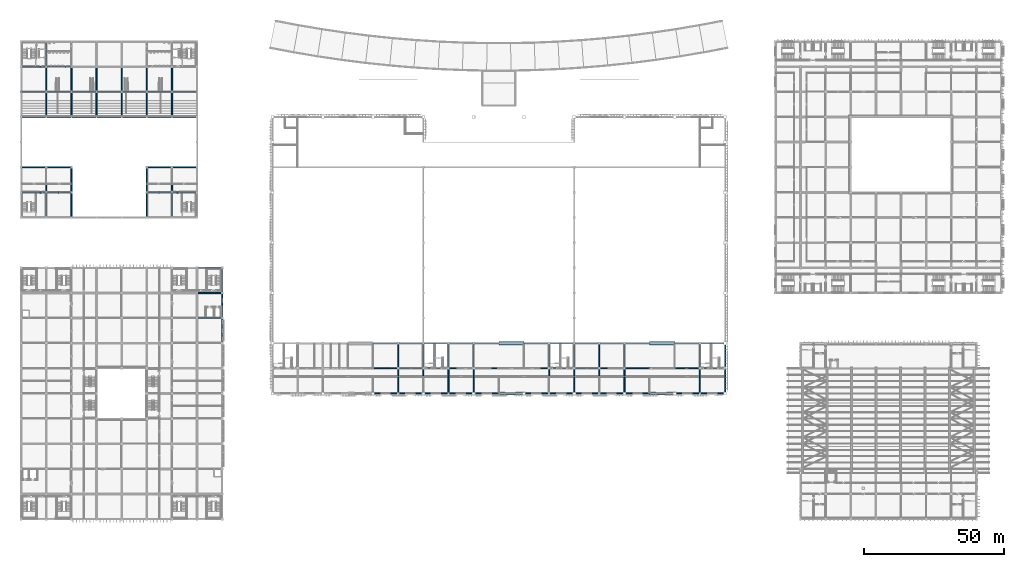
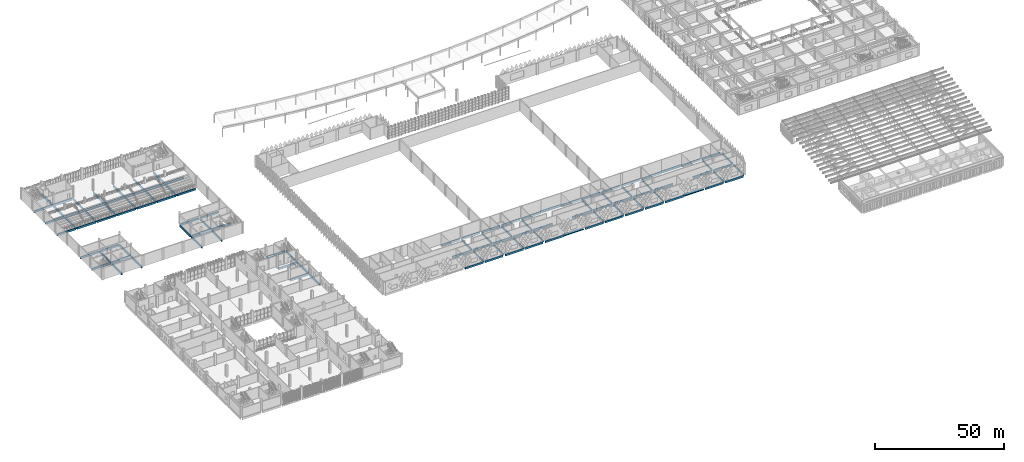
# One storey, part 29 of 185: 111 beams.
"""IFC4 building model written with IfcOpenShell, lengths in metres."""

from ifc_helpers import new_model, si_unit, direction, frame, origin, origin_2d, place, context, subcontext, project, spatial, rectangle, extrude, material, material_profile, profile_set, type_object, element, save


model = new_model("IFC4")

# Units and contexts
model_context = context("Model", 3, precision=1e-05, world=origin(), true_north=direction((0.0, 1.0)))
body_context = subcontext(model_context, "Body", "Model", "MODEL_VIEW")
ifc_project = project(units=[si_unit("LENGTHUNIT", "METRE"), si_unit("AREAUNIT", "SQUARE_METRE"), si_unit("VOLUMEUNIT", "CUBIC_METRE"), si_unit("PLANEANGLEUNIT", "RADIAN"), si_unit("MASSUNIT", "GRAM", prefix="KILO")], contexts=[model_context])

# Site, building, storey
site_placement = place(None, origin())
site = spatial("IfcSite", under=ifc_project, at=site_placement, CompositionType="ELEMENT")
building_placement = place(site_placement, origin())
building = spatial("IfcBuilding", under=site, at=building_placement, Name="Opaline Strait Convention Centre", CompositionType="ELEMENT")
storey_placement = place(building_placement, frame((0.0, 0.0, 6.0)))
storey = spatial("IfcBuildingStorey", under=building, at=storey_placement, Name="L01", CompositionType="ELEMENT", Elevation=6.0)

# Beams
ifc_material = material(Name="Concrete C35", Category="concrete")
ifc_material_profile_1 = material_profile(ifc_material, rectangle(XDim=0.39990234375, YDim=0.800048828125, at=origin_2d()), Name="RC 400x800")
ifc_profile_set_1 = profile_set([ifc_material_profile_1], Name="Concrete C35")
beam_type_1 = type_object("IfcBeamType", Name="RC beam 400x800 C35", PredefinedType="BEAM", material=ifc_profile_set_1)
for number, where, z_axis, x_axis, name in (
    (1, (144.0, 54.39990234375, -0.679931640625), (0.0, 1.0, 0.0), (-1.0, 0.0, 0.0), "EXB-SF-B-Y-144-54"),
    (2, (144.0, 63.39990234375, -0.679931640625), (0.0, 1.0, 0.0), (-1.0, 0.0, 0.0), "EXB-SF-B-Y-144-63"),
):
    element("IfcBeam", number, at=place(storey_placement, frame(where, z_axis=z_axis, x_axis=x_axis)), inside=storey, type_object=beam_type_1, Name=name, ObjectType="XB2", PredefinedType="BEAM", context=body_context, shape_type="SweptSolid", body=[
        extrude(rectangle(XDim=0.39990234375, YDim=0.800048828125, at=origin_2d()), origin(), (0.0, 0.0, 1.0), 8.2001953125),
    ])
beam_1_placement = place(storey_placement, frame((153.0, 54.5, -0.679931640625), z_axis=(0.0, 1.0, 0.0), x_axis=(-1.0, 0.0, 0.0)))
element("IfcBeam", 3, at=beam_1_placement, inside=storey, type_object=beam_type_1, Name="EXB-SF-B-Y-153-54", ObjectType="XB2", PredefinedType="BEAM", context=body_context, shape_type="SweptSolid", body=[
    extrude(rectangle(XDim=0.39990234375, YDim=0.800048828125, at=origin_2d()), origin(), (0.0, 0.0, 1.0), 8.10009765625),
])
for number, where, z_axis, x_axis, name in (
    (4, (153.0, 63.39990234375, -0.679931640625), (0.0, 1.0, 0.0), (-1.0, 0.0, 0.0), "EXB-SF-B-Y-153-63"),
    (5, (162.0, 54.39990234375, -0.679931640625), (0.0, 1.0, 0.0), (-1.0, 0.0, 0.0), "EXB-SF-B-Y-162-54"),
    (6, (162.0, 63.39990234375, -0.679931640625), (0.0, 1.0, 0.0), (-1.0, 0.0, 0.0), "EXB-SF-B-Y-162-63"),
):
    element("IfcBeam", number, at=place(storey_placement, frame(where, z_axis=z_axis, x_axis=x_axis)), inside=storey, type_object=beam_type_1, Name=name, ObjectType="XB2", PredefinedType="BEAM", context=body_context, shape_type="SweptSolid", body=[
        extrude(rectangle(XDim=0.39990234375, YDim=0.800048828125, at=origin_2d()), origin(), (0.0, 0.0, 1.0), 8.2001953125),
    ])
beam_2_placement = place(storey_placement, frame((171.0, 54.5, -0.679931640625), z_axis=(0.0, 1.0, 0.0), x_axis=(-1.0, 0.0, 0.0)))
element("IfcBeam", 7, at=beam_2_placement, inside=storey, type_object=beam_type_1, Name="EXB-SF-B-Y-171-54", ObjectType="XB2", PredefinedType="BEAM", context=body_context, shape_type="SweptSolid", body=[
    extrude(rectangle(XDim=0.39990234375, YDim=0.800048828125, at=origin_2d()), origin(), (0.0, 0.0, 1.0), 8.10009765625),
])
for number, where, z_axis, x_axis, name in (
    (8, (171.0, 63.39990234375, -0.679931640625), (0.0, 1.0, 0.0), (-1.0, 0.0, 0.0), "EXB-SF-B-Y-171-63"),
    (9, (198.0, 54.39990234375, -0.679931640625), (0.0, 1.0, 0.0), (-1.0, 0.0, 0.0), "EXB-SF-B-Y-198-54"),
    (10, (198.0, 63.39990234375, -0.679931640625), (0.0, 1.0, 0.0), (-1.0, 0.0, 0.0), "EXB-SF-B-Y-198-63"),
):
    element("IfcBeam", number, at=place(storey_placement, frame(where, z_axis=z_axis, x_axis=x_axis)), inside=storey, type_object=beam_type_1, Name=name, ObjectType="XB2", PredefinedType="BEAM", context=body_context, shape_type="SweptSolid", body=[
        extrude(rectangle(XDim=0.39990234375, YDim=0.800048828125, at=origin_2d()), origin(), (0.0, 0.0, 1.0), 8.2001953125),
    ])
beam_3_placement = place(storey_placement, frame((207.0, 54.5, -0.679931640625), z_axis=(0.0, 1.0, 0.0), x_axis=(-1.0, 0.0, 0.0)))
element("IfcBeam", 11, at=beam_3_placement, inside=storey, type_object=beam_type_1, Name="EXB-SF-B-Y-207-54", ObjectType="XB2", PredefinedType="BEAM", context=body_context, shape_type="SweptSolid", body=[
    extrude(rectangle(XDim=0.39990234375, YDim=0.800048828125, at=origin_2d()), origin(), (0.0, 0.0, 1.0), 8.10009765625),
])
for number, where, z_axis, x_axis, name in (
    (12, (207.0, 63.39990234375, -0.679931640625), (0.0, 1.0, 0.0), (-1.0, 0.0, 0.0), "EXB-SF-B-Y-207-63"),
    (13, (216.0, 54.39990234375, -0.679931640625), (0.0, 1.0, 0.0), (-1.0, 0.0, 0.0), "EXB-SF-B-Y-216-54"),
    (14, (216.0, 63.39990234375, -0.679931640625), (0.0, 1.0, 0.0), (-1.0, 0.0, 0.0), "EXB-SF-B-Y-216-63"),
):
    element("IfcBeam", number, at=place(storey_placement, frame(where, z_axis=z_axis, x_axis=x_axis)), inside=storey, type_object=beam_type_1, Name=name, ObjectType="XB2", PredefinedType="BEAM", context=body_context, shape_type="SweptSolid", body=[
        extrude(rectangle(XDim=0.39990234375, YDim=0.800048828125, at=origin_2d()), origin(), (0.0, 0.0, 1.0), 8.2001953125),
    ])
beam_4_placement = place(storey_placement, frame((225.0, 54.5, -0.679931640625), z_axis=(0.0, 1.0, 0.0), x_axis=(-1.0, 0.0, 0.0)))
element("IfcBeam", 15, at=beam_4_placement, inside=storey, type_object=beam_type_1, Name="EXB-SF-B-Y-225-54", ObjectType="XB2", PredefinedType="BEAM", context=body_context, shape_type="SweptSolid", body=[
    extrude(rectangle(XDim=0.39990234375, YDim=0.800048828125, at=origin_2d()), origin(), (0.0, 0.0, 1.0), 8.10009765625),
])
for number, where, z_axis, x_axis, name in (
    (16, (225.0, 63.39990234375, -0.679931640625), (0.0, 1.0, 0.0), (-1.0, 0.0, 0.0), "EXB-SF-B-Y-225-63"),
    (17, (252.0, 54.39990234375, -0.679931640625), (0.0, 1.0, 0.0), (-1.0, 0.0, 0.0), "EXB-SF-B-Y-252-54"),
    (18, (252.0, 63.39990234375, -0.679931640625), (0.0, 1.0, 0.0), (-1.0, 0.0, 0.0), "EXB-SF-B-Y-252-63"),
):
    element("IfcBeam", number, at=place(storey_placement, frame(where, z_axis=z_axis, x_axis=x_axis)), inside=storey, type_object=beam_type_1, Name=name, ObjectType="XB2", PredefinedType="BEAM", context=body_context, shape_type="SweptSolid", body=[
        extrude(rectangle(XDim=0.39990234375, YDim=0.800048828125, at=origin_2d()), origin(), (0.0, 0.0, 1.0), 8.2001953125),
    ])
for number, where, z_axis, x_axis, name in (
    (19, (261.0, 54.5, -0.679931640625), (0.0, 1.0, 0.0), (-1.0, 0.0, 0.0), "EXB-SF-B-Y-261-54"),
    (20, (261.0, 63.39990234375, -0.679931640625), (0.0, 1.0, 0.0), (-1.0, 0.0, 0.0), "EXB-SF-B-Y-261-63"),
):
    element("IfcBeam", number, at=place(storey_placement, frame(where, z_axis=z_axis, x_axis=x_axis)), inside=storey, type_object=beam_type_1, Name=name, ObjectType="XB2", PredefinedType="BEAM", context=body_context, shape_type="SweptSolid", body=[
        extrude(rectangle(XDim=0.39990234375, YDim=0.800048828125, at=origin_2d()), origin(), (0.0, 0.0, 1.0), 8.10009765625),
    ])
ifc_material_profile_2 = material_profile(ifc_material, rectangle(XDim=0.449951171875, YDim=0.89990234375, at=origin_2d()), Name="RC 450x900")
ifc_profile_set_2 = profile_set([ifc_material_profile_2], Name="Concrete C35")
beam_type_2 = type_object("IfcBeamType", Name="RC beam 450x900 C35", PredefinedType="BEAM", material=ifc_profile_set_2)
for number, where, z_axis, x_axis, name in (
    (21, (135.5, 54.0, -0.72998046875), (1.0, 0.0, 0.0), (0.0, 1.0, 0.0), "EXB-SF-B-X-135-54"),
    (22, (144.39990234375, 54.0, -0.72998046875), (1.0, 0.0, 0.0), (0.0, 1.0, 0.0), "EXB-SF-B-X-144-54"),
    (23, (153.5, 54.0, -0.72998046875), (1.0, 0.0, 0.0), (0.0, 1.0, 0.0), "EXB-SF-B-X-153-54"),
    (24, (162.39990234375, 54.0, -0.72998046875), (1.0, 0.0, 0.0), (0.0, 1.0, 0.0), "EXB-SF-B-X-162-54"),
):
    element("IfcBeam", number, at=place(storey_placement, frame(where, z_axis=z_axis, x_axis=x_axis)), inside=storey, type_object=beam_type_2, Name=name, ObjectType="XB1", PredefinedType="BEAM", context=body_context, shape_type="SweptSolid", body=[
        extrude(rectangle(XDim=0.449951171875, YDim=0.89990234375, at=origin_2d()), origin(), (0.0, 0.0, 1.0), 8.10009765625),
    ])
beam_5_placement = place(storey_placement, frame((171.5, 54.0, -0.72998046875), z_axis=(1.0, 0.0, 0.0), x_axis=(0.0, 1.0, 0.0)))
element("IfcBeam", 25, at=beam_5_placement, inside=storey, type_object=beam_type_2, Name="EXB-SF-B-X-171-54", ObjectType="XB1", PredefinedType="BEAM", context=body_context, shape_type="SweptSolid", body=[
    extrude(rectangle(XDim=0.449951171875, YDim=0.89990234375, at=origin_2d()), origin(), (0.0, 0.0, 1.0), 8.5),
])
for number, where, z_axis, x_axis, name in (
    (26, (189.5, 54.0, -0.72998046875), (1.0, 0.0, 0.0), (0.0, 1.0, 0.0), "EXB-SF-B-X-189-54"),
    (27, (198.39990234375, 54.0, -0.72998046875), (1.0, 0.0, 0.0), (0.0, 1.0, 0.0), "EXB-SF-B-X-198-54"),
    (28, (207.5, 54.0, -0.72998046875), (1.0, 0.0, 0.0), (0.0, 1.0, 0.0), "EXB-SF-B-X-207-54"),
    (29, (216.39990234375, 54.0, -0.72998046875), (1.0, 0.0, 0.0), (0.0, 1.0, 0.0), "EXB-SF-B-X-216-54"),
):
    element("IfcBeam", number, at=place(storey_placement, frame(where, z_axis=z_axis, x_axis=x_axis)), inside=storey, type_object=beam_type_2, Name=name, ObjectType="XB1", PredefinedType="BEAM", context=body_context, shape_type="SweptSolid", body=[
        extrude(rectangle(XDim=0.449951171875, YDim=0.89990234375, at=origin_2d()), origin(), (0.0, 0.0, 1.0), 8.10009765625),
    ])
beam_6_placement = place(storey_placement, frame((225.5, 54.0, -0.72998046875), z_axis=(1.0, 0.0, 0.0), x_axis=(0.0, 1.0, 0.0)))
element("IfcBeam", 30, at=beam_6_placement, inside=storey, type_object=beam_type_2, Name="EXB-SF-B-X-225-54", ObjectType="XB1", PredefinedType="BEAM", context=body_context, shape_type="SweptSolid", body=[
    extrude(rectangle(XDim=0.449951171875, YDim=0.89990234375, at=origin_2d()), origin(), (0.0, 0.0, 1.0), 8.5),
])
for number, where, z_axis, x_axis, name in (
    (31, (243.5, 54.0, -0.72998046875), (1.0, 0.0, 0.0), (0.0, 1.0, 0.0), "EXB-SF-B-X-243-54"),
    (32, (252.39990234375, 54.0, -0.72998046875), (1.0, 0.0, 0.0), (0.0, 1.0, 0.0), "EXB-SF-B-X-252-54"),
):
    element("IfcBeam", number, at=place(storey_placement, frame(where, z_axis=z_axis, x_axis=x_axis)), inside=storey, type_object=beam_type_2, Name=name, ObjectType="XB1", PredefinedType="BEAM", context=body_context, shape_type="SweptSolid", body=[
        extrude(rectangle(XDim=0.449951171875, YDim=0.89990234375, at=origin_2d()), origin(), (0.0, 0.0, 1.0), 8.10009765625),
    ])
beam_7_placement = place(storey_placement, frame((135.0, 63.0, -0.72998046875), z_axis=(1.0, 0.0, 0.0), x_axis=(0.0, 1.0, 0.0)))
element("IfcBeam", 33, at=beam_7_placement, inside=storey, type_object=beam_type_2, Name="EXB-SF-B-X-135-63", ObjectType="XB1", PredefinedType="BEAM", context=body_context, shape_type="SweptSolid", body=[
    extrude(rectangle(XDim=0.449951171875, YDim=0.89990234375, at=origin_2d()), origin(), (0.0, 0.0, 1.0), 8.60009765625),
])
for number, where, z_axis, x_axis, name in (
    (34, (144.39990234375, 63.0, -0.72998046875), (1.0, 0.0, 0.0), (0.0, 1.0, 0.0), "EXB-SF-B-X-144-63"),
    (35, (153.39990234375, 63.0, -0.72998046875), (1.0, 0.0, 0.0), (0.0, 1.0, 0.0), "EXB-SF-B-X-153-63"),
    (36, (162.39990234375, 63.0, -0.72998046875), (1.0, 0.0, 0.0), (0.0, 1.0, 0.0), "EXB-SF-B-X-162-63"),
):
    element("IfcBeam", number, at=place(storey_placement, frame(where, z_axis=z_axis, x_axis=x_axis)), inside=storey, type_object=beam_type_2, Name=name, ObjectType="XB1", PredefinedType="BEAM", context=body_context, shape_type="SweptSolid", body=[
        extrude(rectangle(XDim=0.449951171875, YDim=0.89990234375, at=origin_2d()), origin(), (0.0, 0.0, 1.0), 8.2001953125),
    ])
for number, where, z_axis, x_axis, name in (
    (37, (171.39990234375, 63.0, -0.72998046875), (1.0, 0.0, 0.0), (0.0, 1.0, 0.0), "EXB-SF-B-X-171-63"),
    (38, (189.0, 63.0, -0.72998046875), (1.0, 0.0, 0.0), (0.0, 1.0, 0.0), "EXB-SF-B-X-189-63"),
):
    element("IfcBeam", number, at=place(storey_placement, frame(where, z_axis=z_axis, x_axis=x_axis)), inside=storey, type_object=beam_type_2, Name=name, ObjectType="XB1", PredefinedType="BEAM", context=body_context, shape_type="SweptSolid", body=[
        extrude(rectangle(XDim=0.449951171875, YDim=0.89990234375, at=origin_2d()), origin(), (0.0, 0.0, 1.0), 8.60009765625),
    ])
for number, where, z_axis, x_axis, name in (
    (39, (198.39990234375, 63.0, -0.72998046875), (1.0, 0.0, 0.0), (0.0, 1.0, 0.0), "EXB-SF-B-X-198-63"),
    (40, (207.39990234375, 63.0, -0.72998046875), (1.0, 0.0, 0.0), (0.0, 1.0, 0.0), "EXB-SF-B-X-207-63"),
    (41, (216.39990234375, 63.0, -0.72998046875), (1.0, 0.0, 0.0), (0.0, 1.0, 0.0), "EXB-SF-B-X-216-63"),
):
    element("IfcBeam", number, at=place(storey_placement, frame(where, z_axis=z_axis, x_axis=x_axis)), inside=storey, type_object=beam_type_2, Name=name, ObjectType="XB1", PredefinedType="BEAM", context=body_context, shape_type="SweptSolid", body=[
        extrude(rectangle(XDim=0.449951171875, YDim=0.89990234375, at=origin_2d()), origin(), (0.0, 0.0, 1.0), 8.2001953125),
    ])
for number, where, z_axis, x_axis, name in (
    (42, (225.39990234375, 63.0, -0.72998046875), (1.0, 0.0, 0.0), (0.0, 1.0, 0.0), "EXB-SF-B-X-225-63"),
    (43, (243.0, 63.0, -0.72998046875), (1.0, 0.0, 0.0), (0.0, 1.0, 0.0), "EXB-SF-B-X-243-63"),
):
    element("IfcBeam", number, at=place(storey_placement, frame(where, z_axis=z_axis, x_axis=x_axis)), inside=storey, type_object=beam_type_2, Name=name, ObjectType="XB1", PredefinedType="BEAM", context=body_context, shape_type="SweptSolid", body=[
        extrude(rectangle(XDim=0.449951171875, YDim=0.89990234375, at=origin_2d()), origin(), (0.0, 0.0, 1.0), 8.60009765625),
    ])
beam_8_placement = place(storey_placement, frame((252.39990234375, 63.0, -0.72998046875), z_axis=(1.0, 0.0, 0.0), x_axis=(0.0, 1.0, 0.0)))
element("IfcBeam", 44, at=beam_8_placement, inside=storey, type_object=beam_type_2, Name="EXB-SF-B-X-252-63", ObjectType="XB1", PredefinedType="BEAM", context=body_context, shape_type="SweptSolid", body=[
    extrude(rectangle(XDim=0.449951171875, YDim=0.89990234375, at=origin_2d()), origin(), (0.0, 0.0, 1.0), 8.2001953125),
])
beam_9_placement = place(storey_placement, frame((135.0, 72.0, -0.72998046875), z_axis=(1.0, 0.0, 0.0), x_axis=(0.0, 1.0, 0.0)))
element("IfcBeam", 45, at=beam_9_placement, inside=storey, type_object=beam_type_2, Name="EXB-SF-B-X-135-72", ObjectType="XB1", PredefinedType="BEAM", context=body_context, shape_type="SweptSolid", body=[
    extrude(rectangle(XDim=0.449951171875, YDim=0.89990234375, at=origin_2d()), origin(), (0.0, 0.0, 1.0), 8.60009765625),
])
for number, where, z_axis, x_axis, name in (
    (46, (144.39990234375, 72.0, -0.72998046875), (1.0, 0.0, 0.0), (0.0, 1.0, 0.0), "EXB-SF-B-X-144-72"),
    (47, (153.39990234375, 72.0, -0.72998046875), (1.0, 0.0, 0.0), (0.0, 1.0, 0.0), "EXB-SF-B-X-153-72"),
    (48, (162.39990234375, 72.0, -0.72998046875), (1.0, 0.0, 0.0), (0.0, 1.0, 0.0), "EXB-SF-B-X-162-72"),
):
    element("IfcBeam", number, at=place(storey_placement, frame(where, z_axis=z_axis, x_axis=x_axis)), inside=storey, type_object=beam_type_2, Name=name, ObjectType="XB1", PredefinedType="BEAM", context=body_context, shape_type="SweptSolid", body=[
        extrude(rectangle(XDim=0.449951171875, YDim=0.89990234375, at=origin_2d()), origin(), (0.0, 0.0, 1.0), 8.2001953125),
    ])
for number, where, z_axis, x_axis, name in (
    (49, (171.39990234375, 72.0, -0.72998046875), (1.0, 0.0, 0.0), (0.0, 1.0, 0.0), "EXB-SF-B-X-171-72"),
    (50, (189.0, 72.0, -0.72998046875), (1.0, 0.0, 0.0), (0.0, 1.0, 0.0), "EXB-SF-B-X-189-72"),
):
    element("IfcBeam", number, at=place(storey_placement, frame(where, z_axis=z_axis, x_axis=x_axis)), inside=storey, type_object=beam_type_2, Name=name, ObjectType="XB1", PredefinedType="BEAM", context=body_context, shape_type="SweptSolid", body=[
        extrude(rectangle(XDim=0.449951171875, YDim=0.89990234375, at=origin_2d()), origin(), (0.0, 0.0, 1.0), 8.60009765625),
    ])
for number, where, z_axis, x_axis, name in (
    (51, (198.39990234375, 72.0, -0.72998046875), (1.0, 0.0, 0.0), (0.0, 1.0, 0.0), "EXB-SF-B-X-198-72"),
    (52, (207.39990234375, 72.0, -0.72998046875), (1.0, 0.0, 0.0), (0.0, 1.0, 0.0), "EXB-SF-B-X-207-72"),
    (53, (216.39990234375, 72.0, -0.72998046875), (1.0, 0.0, 0.0), (0.0, 1.0, 0.0), "EXB-SF-B-X-216-72"),
):
    element("IfcBeam", number, at=place(storey_placement, frame(where, z_axis=z_axis, x_axis=x_axis)), inside=storey, type_object=beam_type_2, Name=name, ObjectType="XB1", PredefinedType="BEAM", context=body_context, shape_type="SweptSolid", body=[
        extrude(rectangle(XDim=0.449951171875, YDim=0.89990234375, at=origin_2d()), origin(), (0.0, 0.0, 1.0), 8.2001953125),
    ])
for number, where, z_axis, x_axis, name in (
    (54, (225.39990234375, 72.0, -0.72998046875), (1.0, 0.0, 0.0), (0.0, 1.0, 0.0), "EXB-SF-B-X-225-72"),
    (55, (243.0, 72.0, -0.72998046875), (1.0, 0.0, 0.0), (0.0, 1.0, 0.0), "EXB-SF-B-X-243-72"),
):
    element("IfcBeam", number, at=place(storey_placement, frame(where, z_axis=z_axis, x_axis=x_axis)), inside=storey, type_object=beam_type_2, Name=name, ObjectType="XB1", PredefinedType="BEAM", context=body_context, shape_type="SweptSolid", body=[
        extrude(rectangle(XDim=0.449951171875, YDim=0.89990234375, at=origin_2d()), origin(), (0.0, 0.0, 1.0), 8.60009765625),
    ])
beam_10_placement = place(storey_placement, frame((252.39990234375, 72.0, -0.72998046875), z_axis=(1.0, 0.0, 0.0), x_axis=(0.0, 1.0, 0.0)))
element("IfcBeam", 56, at=beam_10_placement, inside=storey, type_object=beam_type_2, Name="EXB-SF-B-X-252-72", ObjectType="XB1", PredefinedType="BEAM", context=body_context, shape_type="SweptSolid", body=[
    extrude(rectangle(XDim=0.449951171875, YDim=0.89990234375, at=origin_2d()), origin(), (0.0, 0.0, 1.0), 8.10009765625),
])
for number, where, z_axis, x_axis, name in (
    (57, (72.39990234375, 81.0, -0.72998046875), (1.0, 0.0, 0.0), (0.0, 1.0, 0.0), "XB1 L01 72/81-81/81"),
    (58, (72.39990234375, 90.0, -0.72998046875), (1.0, 0.0, 0.0), (0.0, 1.0, 0.0), "XB1 L01 72/90-81/90"),
    (59, (72.39990234375, 99.0, -0.72998046875), (1.0, 0.0, 0.0), (0.0, 1.0, 0.0), "XB1 L01 72/99-81/99"),
    (60, (81.0, 72.39990234375, -0.72998046875), (0.0, 1.0, 0.0), (-1.0, 0.0, 0.0), "XB1 L01 81/72-81/81"),
    (61, (81.0, 81.39990234375, -0.72998046875), (0.0, 1.0, 0.0), (-1.0, 0.0, 0.0), "XB1 L01 81/81-81/90"),
    (62, (81.0, 90.39990234375, -0.72998046875), (0.0, 1.0, 0.0), (-1.0, 0.0, 0.0), "XB1 L01 81/90-81/99"),
):
    element("IfcBeam", number, at=place(storey_placement, frame(where, z_axis=z_axis, x_axis=x_axis)), inside=storey, type_object=beam_type_2, Name=name, PredefinedType="BEAM", context=body_context, shape_type="SweptSolid", body=[
        extrude(rectangle(XDim=0.449951171875, YDim=0.89990234375, at=origin_2d()), origin(), (0.0, 0.0, 1.0), 8.2001953125),
    ])
ifc_material_profile_3 = material_profile(ifc_material, rectangle(XDim=0.449951171875, YDim=0.89990234375, at=origin_2d()), Name="RC 450x900")
ifc_profile_set_3 = profile_set([ifc_material_profile_3], Name="Concrete C35")
beam_type_3 = type_object("IfcBeamType", Name="RC floor beam 450x900 C35", PredefinedType="BEAM", material=ifc_profile_set_3)
beam_11_placement = place(storey_placement, frame((9.39990234375, 153.0, -0.72998046875), z_axis=(1.0, 0.0, 0.0), x_axis=(0.0, 1.0, 0.0)))
element("IfcBeam", 63, at=beam_11_placement, inside=storey, type_object=beam_type_3, Name="PFB1 L01 beam 2/T-3/T", PredefinedType="BEAM", context=body_context, shape_type="SweptSolid", body=[
    extrude(rectangle(XDim=0.449951171875, YDim=0.89990234375, at=origin_2d()), origin(), (0.0, 0.0, 1.0), 8.300048828125),
])
for number, where, z_axis, x_axis, name in (
    (64, (18.300048828125, 153.0, -0.72998046875), (1.0, 0.0, 0.0), (0.0, 1.0, 0.0), "PFB1 L01 beam 3/T-4/T"),
    (65, (27.300048828125, 153.0, -0.72998046875), (1.0, 0.0, 0.0), (0.0, 1.0, 0.0), "PFB1 L01 beam 4/T-5/T"),
    (66, (36.300048828125, 153.0, -0.72998046875), (1.0, 0.0, 0.0), (0.0, 1.0, 0.0), "PFB1 L01 beam 5/T-6/T"),
    (67, (45.300048828125, 153.0, -0.72998046875), (1.0, 0.0, 0.0), (0.0, 1.0, 0.0), "PFB1 L01 beam 6/T-7/T"),
    (68, (54.300048828125, 153.0, -0.72998046875), (1.0, 0.0, 0.0), (0.0, 1.0, 0.0), "PFB1 L01 beam 7/T-8/T"),
):
    element("IfcBeam", number, at=place(storey_placement, frame(where, z_axis=z_axis, x_axis=x_axis)), inside=storey, type_object=beam_type_3, Name=name, PredefinedType="BEAM", context=body_context, shape_type="SweptSolid", body=[
        extrude(rectangle(XDim=0.449951171875, YDim=0.89990234375, at=origin_2d()), origin(), (0.0, 0.0, 1.0), 8.39990234375),
    ])
for number, where, z_axis, x_axis, name in (
    (69, (63.300048828125, 153.0, -0.72998046875), (1.0, 0.0, 0.0), (0.0, 1.0, 0.0), "PFB1 L01 beam 8/T-9/T"),
    (70, (9.39990234375, 162.0, -0.72998046875), (1.0, 0.0, 0.0), (0.0, 1.0, 0.0), "PFB1 L01 beam 2/U-3/U"),
):
    element("IfcBeam", number, at=place(storey_placement, frame(where, z_axis=z_axis, x_axis=x_axis)), inside=storey, type_object=beam_type_3, Name=name, PredefinedType="BEAM", context=body_context, shape_type="SweptSolid", body=[
        extrude(rectangle(XDim=0.449951171875, YDim=0.89990234375, at=origin_2d()), origin(), (0.0, 0.0, 1.0), 8.300048828125),
    ])
for number, where, z_axis, x_axis, name in (
    (71, (18.300048828125, 162.0, -0.72998046875), (1.0, 0.0, 0.0), (0.0, 1.0, 0.0), "PFB1 L01 beam 3/U-4/U"),
    (72, (27.300048828125, 162.0, -0.72998046875), (1.0, 0.0, 0.0), (0.0, 1.0, 0.0), "PFB1 L01 beam 4/U-5/U"),
    (73, (36.300048828125, 162.0, -0.72998046875), (1.0, 0.0, 0.0), (0.0, 1.0, 0.0), "PFB1 L01 beam 5/U-6/U"),
    (74, (45.300048828125, 162.0, -0.72998046875), (1.0, 0.0, 0.0), (0.0, 1.0, 0.0), "PFB1 L01 beam 6/U-7/U"),
    (75, (54.300048828125, 162.0, -0.72998046875), (1.0, 0.0, 0.0), (0.0, 1.0, 0.0), "PFB1 L01 beam 7/U-8/U"),
):
    element("IfcBeam", number, at=place(storey_placement, frame(where, z_axis=z_axis, x_axis=x_axis)), inside=storey, type_object=beam_type_3, Name=name, PredefinedType="BEAM", context=body_context, shape_type="SweptSolid", body=[
        extrude(rectangle(XDim=0.449951171875, YDim=0.89990234375, at=origin_2d()), origin(), (0.0, 0.0, 1.0), 8.39990234375),
    ])
for number, where, z_axis, x_axis, name in (
    (76, (63.300048828125, 162.0, -0.72998046875), (1.0, 0.0, 0.0), (0.0, 1.0, 0.0), "PFB1 L01 beam 8/U-9/U"),
    (77, (9.39990234375, 171.0, -0.72998046875), (1.0, 0.0, 0.0), (0.0, 1.0, 0.0), "PFB1 L01 beam 2/V-3/V"),
):
    element("IfcBeam", number, at=place(storey_placement, frame(where, z_axis=z_axis, x_axis=x_axis)), inside=storey, type_object=beam_type_3, Name=name, PredefinedType="BEAM", context=body_context, shape_type="SweptSolid", body=[
        extrude(rectangle(XDim=0.449951171875, YDim=0.89990234375, at=origin_2d()), origin(), (0.0, 0.0, 1.0), 8.300048828125),
    ])
for number, where, z_axis, x_axis, name in (
    (78, (18.300048828125, 171.0, -0.72998046875), (1.0, 0.0, 0.0), (0.0, 1.0, 0.0), "PFB1 L01 beam 3/V-4/V"),
    (79, (18.0, 153.300048828125, -0.72998046875), (0.0, 1.0, 0.0), (-1.0, 0.0, 0.0), "PFB1 L01 beam 3/T-3/U"),
    (80, (18.0, 162.300048828125, -0.72998046875), (0.0, 1.0, 0.0), (-1.0, 0.0, 0.0), "PFB1 L01 beam 3/U-3/V"),
):
    element("IfcBeam", number, at=place(storey_placement, frame(where, z_axis=z_axis, x_axis=x_axis)), inside=storey, type_object=beam_type_3, Name=name, PredefinedType="BEAM", context=body_context, shape_type="SweptSolid", body=[
        extrude(rectangle(XDim=0.449951171875, YDim=0.89990234375, at=origin_2d()), origin(), (0.0, 0.0, 1.0), 8.39990234375),
    ])
beam_12_placement = place(storey_placement, frame((18.0, 171.300048828125, -0.72998046875), z_axis=(0.0, 1.0, 0.0), x_axis=(-1.0, 0.0, 0.0)))
element("IfcBeam", 81, at=beam_12_placement, inside=storey, type_object=beam_type_3, Name="PFB1 L01 beam 3/V-3/W", PredefinedType="BEAM", context=body_context, shape_type="SweptSolid", body=[
    extrude(rectangle(XDim=0.449951171875, YDim=0.89990234375, at=origin_2d()), origin(), (0.0, 0.0, 1.0), 8.300048828125),
])
for number, where, z_axis, x_axis, name in (
    (82, (27.0, 153.300048828125, -0.72998046875), (0.0, 1.0, 0.0), (-1.0, 0.0, 0.0), "PFB1 L01 beam 4/T-4/U"),
    (83, (27.0, 162.300048828125, -0.72998046875), (0.0, 1.0, 0.0), (-1.0, 0.0, 0.0), "PFB1 L01 beam 4/U-4/V"),
    (84, (36.0, 153.300048828125, -0.72998046875), (0.0, 1.0, 0.0), (-1.0, 0.0, 0.0), "PFB1 L01 beam 5/T-5/U"),
    (85, (36.0, 162.300048828125, -0.72998046875), (0.0, 1.0, 0.0), (-1.0, 0.0, 0.0), "PFB1 L01 beam 5/U-5/V"),
    (86, (45.0, 153.300048828125, -0.72998046875), (0.0, 1.0, 0.0), (-1.0, 0.0, 0.0), "PFB1 L01 beam 6/T-6/U"),
    (87, (45.0, 162.300048828125, -0.72998046875), (0.0, 1.0, 0.0), (-1.0, 0.0, 0.0), "PFB1 L01 beam 6/U-6/V"),
    (88, (54.0, 153.300048828125, -0.72998046875), (0.0, 1.0, 0.0), (-1.0, 0.0, 0.0), "PFB1 L01 beam 7/T-7/U"),
    (89, (54.0, 162.300048828125, -0.72998046875), (0.0, 1.0, 0.0), (-1.0, 0.0, 0.0), "PFB1 L01 beam 7/U-7/V"),
    (90, (63.0, 153.300048828125, -0.72998046875), (0.0, 1.0, 0.0), (-1.0, 0.0, 0.0), "PFB1 L01 beam 8/T-8/U"),
    (91, (63.0, 162.300048828125, -0.72998046875), (0.0, 1.0, 0.0), (-1.0, 0.0, 0.0), "PFB1 L01 beam 8/U-8/V"),
):
    element("IfcBeam", number, at=place(storey_placement, frame(where, z_axis=z_axis, x_axis=x_axis)), inside=storey, type_object=beam_type_3, Name=name, PredefinedType="BEAM", context=body_context, shape_type="SweptSolid", body=[
        extrude(rectangle(XDim=0.449951171875, YDim=0.89990234375, at=origin_2d()), origin(), (0.0, 0.0, 1.0), 8.39990234375),
    ])
beam_13_placement = place(storey_placement, frame((9.39990234375, 126.0, -0.72998046875), z_axis=(1.0, 0.0, 0.0), x_axis=(0.0, 1.0, 0.0)))
element("IfcBeam", 92, at=beam_13_placement, inside=storey, type_object=beam_type_3, Name="PFB1 L01 beam 2/Q-3/Q", PredefinedType="BEAM", context=body_context, shape_type="SweptSolid", body=[
    extrude(rectangle(XDim=0.449951171875, YDim=0.89990234375, at=origin_2d()), origin(), (0.0, 0.0, 1.0), 8.300048828125),
])
for number, where, z_axis, x_axis, name in (
    (93, (18.300048828125, 126.0, -0.72998046875), (1.0, 0.0, 0.0), (0.0, 1.0, 0.0), "PFB1 L01 beam 3/Q-4/Q"),
    (94, (54.300048828125, 126.0, -0.72998046875), (1.0, 0.0, 0.0), (0.0, 1.0, 0.0), "PFB1 L01 beam 7/Q-8/Q"),
):
    element("IfcBeam", number, at=place(storey_placement, frame(where, z_axis=z_axis, x_axis=x_axis)), inside=storey, type_object=beam_type_3, Name=name, PredefinedType="BEAM", context=body_context, shape_type="SweptSolid", body=[
        extrude(rectangle(XDim=0.449951171875, YDim=0.89990234375, at=origin_2d()), origin(), (0.0, 0.0, 1.0), 8.39990234375),
    ])
for number, where, z_axis, x_axis, name in (
    (95, (63.300048828125, 126.0, -0.72998046875), (1.0, 0.0, 0.0), (0.0, 1.0, 0.0), "PFB1 L01 beam 8/Q-9/Q"),
    (96, (18.0, 117.39990234375, -0.72998046875), (0.0, 1.0, 0.0), (-1.0, 0.0, 0.0), "PFB1 L01 beam 3/P-3/Q"),
):
    element("IfcBeam", number, at=place(storey_placement, frame(where, z_axis=z_axis, x_axis=x_axis)), inside=storey, type_object=beam_type_3, Name=name, PredefinedType="BEAM", context=body_context, shape_type="SweptSolid", body=[
        extrude(rectangle(XDim=0.449951171875, YDim=0.89990234375, at=origin_2d()), origin(), (0.0, 0.0, 1.0), 8.300048828125),
    ])
beam_14_placement = place(storey_placement, frame((18.0, 126.300048828125, -0.72998046875), z_axis=(0.0, 1.0, 0.0), x_axis=(-1.0, 0.0, 0.0)))
element("IfcBeam", 97, at=beam_14_placement, inside=storey, type_object=beam_type_3, Name="PFB1 L01 beam 3/Q-3/R", PredefinedType="BEAM", context=body_context, shape_type="SweptSolid", body=[
    extrude(rectangle(XDim=0.449951171875, YDim=0.89990234375, at=origin_2d()), origin(), (0.0, 0.0, 1.0), 8.39990234375),
])
beam_15_placement = place(storey_placement, frame((63.0, 117.39990234375, -0.72998046875), z_axis=(0.0, 1.0, 0.0), x_axis=(-1.0, 0.0, 0.0)))
element("IfcBeam", 98, at=beam_15_placement, inside=storey, type_object=beam_type_3, Name="PFB1 L01 beam 8/P-8/Q", PredefinedType="BEAM", context=body_context, shape_type="SweptSolid", body=[
    extrude(rectangle(XDim=0.449951171875, YDim=0.89990234375, at=origin_2d()), origin(), (0.0, 0.0, 1.0), 8.300048828125),
])
beam_16_placement = place(storey_placement, frame((63.0, 126.300048828125, -0.72998046875), z_axis=(0.0, 1.0, 0.0), x_axis=(-1.0, 0.0, 0.0)))
element("IfcBeam", 99, at=beam_16_placement, inside=storey, type_object=beam_type_3, Name="PFB1 L01 beam 8/Q-8/R", PredefinedType="BEAM", context=body_context, shape_type="SweptSolid", body=[
    extrude(rectangle(XDim=0.449951171875, YDim=0.89990234375, at=origin_2d()), origin(), (0.0, 0.0, 1.0), 8.39990234375),
])
beam_17_placement = place(storey_placement, frame((27.0, 117.39990234375, -0.72998046875), z_axis=(0.0, 1.0, 0.0), x_axis=(-1.0, 0.0, 0.0)))
element("IfcBeam", 100, at=beam_17_placement, inside=storey, type_object=beam_type_3, Name="PFB1 L01 beam 4/P-4/Q", PredefinedType="BEAM", context=body_context, shape_type="SweptSolid", body=[
    extrude(rectangle(XDim=0.449951171875, YDim=0.89990234375, at=origin_2d()), origin(), (0.0, 0.0, 1.0), 8.300048828125),
])
beam_18_placement = place(storey_placement, frame((27.0, 126.300048828125, -0.72998046875), z_axis=(0.0, 1.0, 0.0), x_axis=(-1.0, 0.0, 0.0)))
element("IfcBeam", 101, at=beam_18_placement, inside=storey, type_object=beam_type_3, Name="PFB1 L01 beam 4/Q-4/R", PredefinedType="BEAM", context=body_context, shape_type="SweptSolid", body=[
    extrude(rectangle(XDim=0.449951171875, YDim=0.89990234375, at=origin_2d()), origin(), (0.0, 0.0, 1.0), 8.39990234375),
])
beam_19_placement = place(storey_placement, frame((54.0, 117.39990234375, -0.72998046875), z_axis=(0.0, 1.0, 0.0), x_axis=(-1.0, 0.0, 0.0)))
element("IfcBeam", 102, at=beam_19_placement, inside=storey, type_object=beam_type_3, Name="PFB1 L01 beam 7/P-7/Q", PredefinedType="BEAM", context=body_context, shape_type="SweptSolid", body=[
    extrude(rectangle(XDim=0.449951171875, YDim=0.89990234375, at=origin_2d()), origin(), (0.0, 0.0, 1.0), 8.300048828125),
])
beam_20_placement = place(storey_placement, frame((54.0, 126.300048828125, -0.72998046875), z_axis=(0.0, 1.0, 0.0), x_axis=(-1.0, 0.0, 0.0)))
element("IfcBeam", 103, at=beam_20_placement, inside=storey, type_object=beam_type_3, Name="PFB1 L01 beam 7/Q-7/R", PredefinedType="BEAM", context=body_context, shape_type="SweptSolid", body=[
    extrude(rectangle(XDim=0.449951171875, YDim=0.89990234375, at=origin_2d()), origin(), (0.0, 0.0, 1.0), 8.39990234375),
])
beam_21_placement = place(storey_placement, frame((9.39990234375, 135.0, -0.72998046875), z_axis=(1.0, 0.0, 0.0), x_axis=(0.0, 1.0, 0.0)))
element("IfcBeam", 104, at=beam_21_placement, inside=storey, type_object=beam_type_3, Name="PFB1 L01 beam 2/R-3/R", PredefinedType="BEAM", context=body_context, shape_type="SweptSolid", body=[
    extrude(rectangle(XDim=0.449951171875, YDim=0.89990234375, at=origin_2d()), origin(), (0.0, 0.0, 1.0), 8.300048828125),
])
for number, where, z_axis, x_axis, name in (
    (105, (18.300048828125, 135.0, -0.72998046875), (1.0, 0.0, 0.0), (0.0, 1.0, 0.0), "PFB1 L01 beam 3/R-4/R"),
    (106, (54.300048828125, 135.0, -0.72998046875), (1.0, 0.0, 0.0), (0.0, 1.0, 0.0), "PFB1 L01 beam 7/R-8/R"),
):
    element("IfcBeam", number, at=place(storey_placement, frame(where, z_axis=z_axis, x_axis=x_axis)), inside=storey, type_object=beam_type_3, Name=name, PredefinedType="BEAM", context=body_context, shape_type="SweptSolid", body=[
        extrude(rectangle(XDim=0.449951171875, YDim=0.89990234375, at=origin_2d()), origin(), (0.0, 0.0, 1.0), 8.39990234375),
    ])
beam_22_placement = place(storey_placement, frame((63.300048828125, 135.0, -0.72998046875), z_axis=(1.0, 0.0, 0.0), x_axis=(0.0, 1.0, 0.0)))
element("IfcBeam", 107, at=beam_22_placement, inside=storey, type_object=beam_type_3, Name="PFB1 L01 beam 8/R-9/R", PredefinedType="BEAM", context=body_context, shape_type="SweptSolid", body=[
    extrude(rectangle(XDim=0.449951171875, YDim=0.89990234375, at=origin_2d()), origin(), (0.0, 0.0, 1.0), 8.300048828125),
])
ifc_material_profile_4 = material_profile(ifc_material, rectangle(XDim=1.199951171875, YDim=0.419921875, at=origin_2d()), Name="RC 1200x420")
ifc_profile_set_4 = profile_set([ifc_material_profile_4], Name="Concrete C35")
beam_type_4 = type_object("IfcBeamType", Name="RC lintel beam 1200x420 C35", PredefinedType="BEAM", material=ifc_profile_set_4)
for number, where, z_axis, x_axis, name in (
    (108, (180.0, 54.0, -0.489990234375), (1.0, 0.0, 0.0), (0.0, 1.0, 0.0), "EXB-SF-B-X-180-54"),
    (109, (234.0, 54.0, -0.489990234375), (1.0, 0.0, 0.0), (0.0, 1.0, 0.0), "EXB-SF-B-X-234-54"),
):
    element("IfcBeam", number, at=place(storey_placement, frame(where, z_axis=z_axis, x_axis=x_axis)), inside=storey, type_object=beam_type_4, Name=name, ObjectType="XB3", PredefinedType="BEAM", context=body_context, shape_type="SweptSolid", body=[
        extrude(rectangle(XDim=1.199951171875, YDim=0.419921875, at=origin_2d()), origin(), (0.0, 0.0, 1.0), 8.5),
    ])
for number, where, z_axis, x_axis, name in (
    (110, (180.0, 72.0, -0.489990234375), (1.0, 0.0, 0.0), (0.0, 1.0, 0.0), "EXB-SF-B-X-180-72"),
    (111, (234.0, 72.0, -0.489990234375), (1.0, 0.0, 0.0), (0.0, 1.0, 0.0), "EXB-SF-B-X-234-72"),
):
    element("IfcBeam", number, at=place(storey_placement, frame(where, z_axis=z_axis, x_axis=x_axis)), inside=storey, type_object=beam_type_4, Name=name, ObjectType="XB3", PredefinedType="BEAM", context=body_context, shape_type="SweptSolid", body=[
        extrude(rectangle(XDim=1.199951171875, YDim=0.419921875, at=origin_2d()), origin(), (0.0, 0.0, 1.0), 9.0),
    ])

save(model, "model.ifc")
